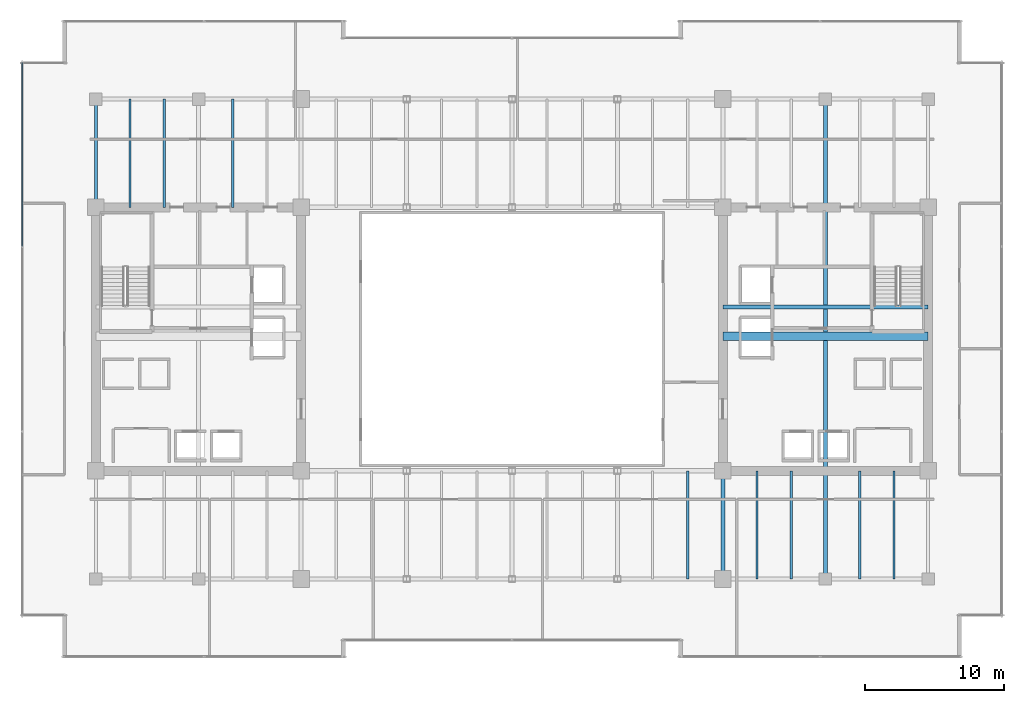
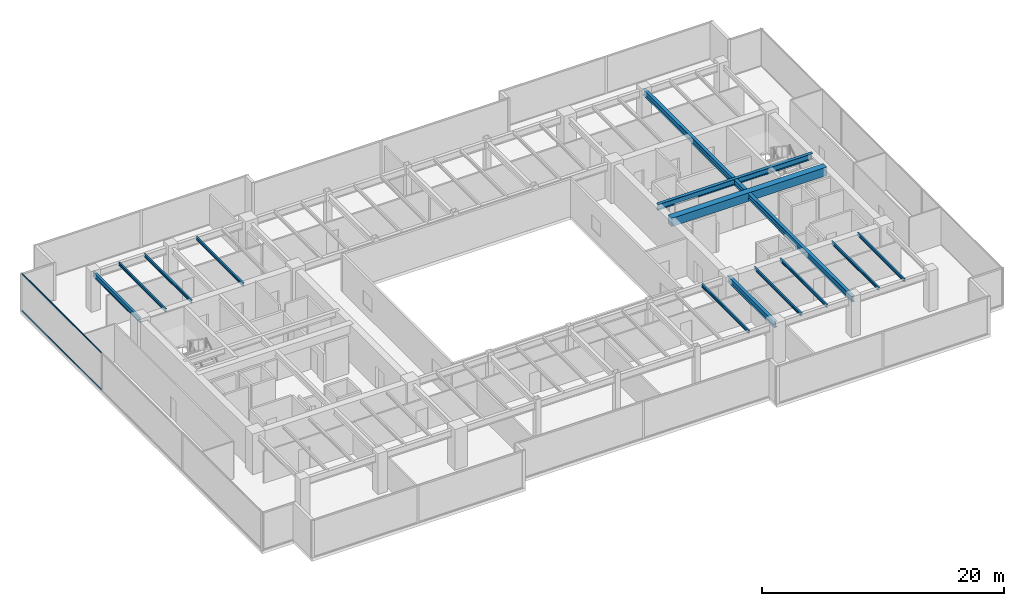
# One storey, part 13 of 30: 13 beams, 2 members, 1 element without a shape of its own.
"""IFC4 building model written with IfcOpenShell, lengths in metres."""

from ifc_helpers import new_model, si_unit, direction, frame, origin, origin_2d, place, context, subcontext, project, spatial, rectangle, hollow_rectangle, i_section, extrude, source, transform, mapped, material, layer, layer_set, material_profile, profile_set, type_object, type_shapes, element, aggregate, save


model = new_model("IFC4")

# Units and contexts
model_context = context("Model", 3, precision=1e-05, world=origin(), true_north=direction((0.0, 1.0)))
body_context = subcontext(model_context, "Body", "Model", "MODEL_VIEW")
ifc_project = project(units=[si_unit("LENGTHUNIT", "METRE"), si_unit("AREAUNIT", "SQUARE_METRE"), si_unit("VOLUMEUNIT", "CUBIC_METRE"), si_unit("PLANEANGLEUNIT", "RADIAN"), si_unit("MASSUNIT", "GRAM", prefix="KILO")], contexts=[model_context])

# Site, building, storey
site_placement = place(None, origin())
site = spatial("IfcSite", under=ifc_project, at=site_placement, CompositionType="ELEMENT")
building_placement = place(site_placement, origin())
building = spatial("IfcBuilding", under=site, at=building_placement, Name="Haelvirn Gate Laboratories", CompositionType="ELEMENT")
storey_placement = place(building_placement, frame((0.0, 0.0, 183.0)))
storey = spatial("IfcBuildingStorey", under=building, at=storey_placement, Name="L44", CompositionType="ELEMENT", Elevation=183.0)

# Beams
ifc_material_1 = material(Name="Steel SM355", Category="steel")
ifc_material_profile_1 = material_profile(ifc_material_1, i_section(OverallWidth=0.300048828125, OverallDepth=0.587890625, WebThickness=0.011962890625, FlangeThickness=0.02001953125, at=origin_2d()), Name="H-588x300x12x20")
ifc_profile_set_1 = profile_set([ifc_material_profile_1], Name="Steel SM355")
beam_type_1 = type_object("IfcBeamType", Name="BM-G-588", PredefinedType="BEAM", material=ifc_profile_set_1)
shared_shape_1 = source(origin(), body_context, "Body", "SweptSolid", [
    extrude(i_section(OverallWidth=0.300048828125, OverallDepth=0.587890625, WebThickness=0.011962890625, FlangeThickness=0.02001953125, at=origin_2d()), origin(), (0.0, 0.0, 1.0), 14.7998046875),
])
beam_1_placement = place(storey_placement, frame((52.60009765625, 26.6201171875, 3.49609375), z_axis=(1.0, 0.0, 0.0), x_axis=(0.0, 1.0, 0.0)))
element("IfcBeam", 1, at=beam_1_placement, inside=storey, type_object=beam_type_1, Name="L44 Stair ST2 Landing Header", PredefinedType="BEAM", context=body_context, shape_type="MappedRepresentation", body=[
    mapped(shared_shape_1, transform((0.0, 0.0, 0.0), scale=1.0)),
])
ifc_material_profile_2 = material_profile(ifc_material_1, i_section(OverallWidth=0.199951171875, OverallDepth=0.5, WebThickness=0.010009765625, FlangeThickness=0.01611328125, at=origin_2d()), Name="H-500x200x10x16")
ifc_profile_set_2 = profile_set([ifc_material_profile_2], Name="Steel SM355")
beam_type_2 = type_object("IfcBeamType", Name="BM-SP-500", PredefinedType="SPANDREL", material=ifc_profile_set_2)
shared_shape_2 = source(origin(), body_context, "Body", "SweptSolid", [
    extrude(i_section(OverallWidth=0.199951171875, OverallDepth=0.5, WebThickness=0.010009765625, FlangeThickness=0.01611328125, at=origin_2d()), origin(), (0.0, 0.0, 1.0), 7.800048828125),
])
type_shapes(beam_type_2, [shared_shape_2])
beam_2_placement = place(storey_placement, frame((7.39990234375, 33.800048828125, 3.5400390625), z_axis=(0.0, 1.0, 0.0), x_axis=(-1.0, 0.0, 0.0)))
element("IfcBeam", 2, at=beam_2_placement, inside=storey, type_object=beam_type_2, Name="L44 Perimeter Spandrel X7.4 (33.8-41.6)", PredefinedType="SPANDREL", context=body_context, shape_type="MappedRepresentation", body=[
    mapped(shared_shape_2, transform((0.0, 0.0, 0.0), scale=1.0)),
])
ifc_material_profile_3 = material_profile(ifc_material_1, i_section(OverallWidth=0.14990234375, OverallDepth=0.300048828125, WebThickness=0.006591796875, FlangeThickness=0.009033203125, at=origin_2d()), Name="H-300x150x6.5x9")
ifc_profile_set_3 = profile_set([ifc_material_profile_3], Name="Steel SM355")
beam_type_3 = type_object("IfcBeamType", Name="BM-J-300", PredefinedType="JOIST", material=ifc_profile_set_3)
shared_shape_3 = source(origin(), body_context, "Body", "SweptSolid", [
    extrude(i_section(OverallWidth=0.14990234375, OverallDepth=0.300048828125, WebThickness=0.006591796875, FlangeThickness=0.009033203125, at=origin_2d()), origin(), (0.0, 0.0, 1.0), 7.800048828125),
])
type_shapes(beam_type_3, [shared_shape_3])
for number, where, z_axis, x_axis, name in (
    (3, (9.8701171875, 33.800048828125, 3.639892578125), (0.0, 1.0, 0.0), (-1.0, 0.0, 0.0), "L44 Composite Lab Joist North X9.87"),
    (4, (12.330078125, 33.800048828125, 3.639892578125), (0.0, 1.0, 0.0), (-1.0, 0.0, 0.0), "L44 Composite Lab Joist North X12.33"),
    (5, (17.27001953125, 33.800048828125, 3.639892578125), (0.0, 1.0, 0.0), (-1.0, 0.0, 0.0), "L44 Composite Lab Joist North X17.27"),
    (6, (50.070068359375, 7.0, 3.639892578125), (0.0, 1.0, 0.0), (-1.0, 0.0, 0.0), "L44 Composite Lab Joist South X50.07"),
    (7, (55.070068359375, 7.0, 3.639892578125), (0.0, 1.0, 0.0), (-1.0, 0.0, 0.0), "L44 Composite Lab Joist South X55.07"),
    (8, (57.530029296875, 7.0, 3.639892578125), (0.0, 1.0, 0.0), (-1.0, 0.0, 0.0), "L44 Composite Lab Joist South X57.53"),
    (9, (62.469970703125, 7.0, 3.639892578125), (0.0, 1.0, 0.0), (-1.0, 0.0, 0.0), "L44 Composite Lab Joist South X62.47"),
    (10, (64.929931640625, 7.0, 3.639892578125), (0.0, 1.0, 0.0), (-1.0, 0.0, 0.0), "L44 Composite Lab Joist South X64.93"),
):
    element("IfcBeam", number, at=place(storey_placement, frame(where, z_axis=z_axis, x_axis=x_axis)), inside=storey, type_object=beam_type_3, Name=name, PredefinedType="JOIST", context=body_context, shape_type="MappedRepresentation", body=[
        mapped(shared_shape_3, transform((0.0, 0.0, 0.0), scale=1.0)),
    ])
shared_shape_4 = source(origin(), body_context, "Body", "SweptSolid", [
    extrude(i_section(OverallWidth=0.300048828125, OverallDepth=0.587890625, WebThickness=0.011962890625, FlangeThickness=0.02001953125, at=origin_2d()), origin(), (0.0, 0.0, 1.0), 34.60009765625),
])
beam_3_placement = place(storey_placement, frame((60.0, 7.0, 3.49609375), z_axis=(0.0, 1.0, 0.0), x_axis=(-1.0, 0.0, 0.0)))
element("IfcBeam", 11, at=beam_3_placement, inside=storey, type_object=beam_type_1, Name="L44 Frame Girder X60.0 (7.0-41.6)", PredefinedType="BEAM", context=body_context, shape_type="MappedRepresentation", body=[
    mapped(shared_shape_4, transform((0.0, 0.0, 0.0), scale=1.0)),
])
shared_shape_5 = source(origin(), body_context, "Body", "SweptSolid", [
    extrude(i_section(OverallWidth=0.300048828125, OverallDepth=0.587890625, WebThickness=0.011962890625, FlangeThickness=0.02001953125, at=origin_2d()), origin(), (0.0, 0.0, 1.0), 7.800048828125),
])
type_shapes(beam_type_1, [shared_shape_1, shared_shape_4, shared_shape_5])
beam_4_placement = place(storey_placement, frame((52.60009765625, 7.0, 3.49609375), z_axis=(0.0, 1.0, 0.0), x_axis=(-1.0, 0.0, 0.0)))
element("IfcBeam", 12, at=beam_4_placement, inside=storey, type_object=beam_type_1, Name="L44 Frame Girder X52.6 (7.0-14.8)", PredefinedType="BEAM", context=body_context, shape_type="MappedRepresentation", body=[
    mapped(shared_shape_5, transform((0.0, 0.0, 0.0), scale=1.0)),
])
ifc_material_2 = material(Name="Concrete C50/60", Category="concrete")
ifc_material_profile_4 = material_profile(ifc_material_2, rectangle(XDim=0.60009765625, YDim=0.85009765625, at=origin_2d()), Name="RCB-600x850")
ifc_profile_set_4 = profile_set([ifc_material_profile_4], Name="Concrete C50/60")
beam_type_4 = type_object("IfcBeamType", Name="BM-RCB-850", PredefinedType="LINTEL", material=ifc_profile_set_4)
shared_shape_6 = source(origin(), body_context, "Body", "SweptSolid", [
    extrude(rectangle(XDim=0.60009765625, YDim=0.85009765625, at=origin_2d()), origin(), (0.0, 0.0, 1.0), 14.7998046875),
])
type_shapes(beam_type_4, [shared_shape_6])
beam_5_placement = place(storey_placement, frame((52.60009765625, 24.5, 3.364990234375), z_axis=(1.0, 0.0, 0.0), x_axis=(0.0, 1.0, 0.0)))
element("IfcBeam", 13, at=beam_5_placement, inside=storey, type_object=beam_type_4, Name="L44 East Core Coupling Beam", PredefinedType="LINTEL", context=body_context, shape_type="MappedRepresentation", body=[
    mapped(shared_shape_6, transform((0.0, 0.0, 0.0), scale=1.0)),
])

# Curtain wall, members
ifc_material_3 = material(Name="Anodised bronze unitised aluminium & triple low-E glass", Category="aluminium")
ifc_layer = layer(ifc_material_3, 0.179931640625, Name="CW-SYS-3")
ifc_layer_set = layer_set([ifc_layer], Name="Anodised bronze unitised aluminium & triple low-E glass")
curtain_wall_type = type_object("IfcCurtainWallType", Name="CW-SYS-3", PredefinedType="NOTDEFINED", material=ifc_layer_set)
curtain_wall_placement = place(storey_placement, origin())
curtain_wall = element("IfcCurtainWall", 14, at=curtain_wall_placement, inside=storey, type_object=curtain_wall_type, Name="L44 Unitised Curtain Wall CW-L44-P0-E17", PredefinedType="NOTDEFINED")
ifc_material_4 = material(Name="Extruded aluminium 6063-T6 (anodised bronze)", Category="aluminium")
ifc_material_profile_5 = material_profile(ifc_material_4, hollow_rectangle(XDim=0.06494140625, YDim=0.139892578125, WallThickness=0.00390625, at=origin_2d()), Name="CWT-140x65x4")
ifc_profile_set_5 = profile_set([ifc_material_profile_5], Name="Extruded aluminium 6063-T6 (anodised bronze)")
member_type = type_object("IfcMemberType", Name="CWT-T140", PredefinedType="USERDEFINED", material=ifc_profile_set_5)
shared_shape_7 = source(origin(), body_context, "Body", "SweptSolid", [
    extrude(hollow_rectangle(XDim=0.06494140625, YDim=0.139892578125, WallThickness=0.00390625, at=origin_2d()), origin(), (0.0, 0.0, 1.0), 13.220947265625),
])
type_shapes(member_type, [shared_shape_7])
member_1_placement = place(storey_placement, frame((2.10009765625, 44.22509765625, 0.032470703125), z_axis=(0.0, -1.0, 0.0), x_axis=(1.0, 0.0, 0.0)))
member_1 = element("IfcMember", 15, at=member_1_placement, type_object=member_type, Name="CW3 transom 1.1", ObjectType="TRANSOM", PredefinedType="USERDEFINED", context=body_context, shape_type="MappedRepresentation", body=[
    mapped(shared_shape_7, transform((0.0, 0.0, 0.0), scale=1.0)),
])
member_2_placement = place(storey_placement, frame((2.10009765625, 44.22509765625, 3.757568359375), z_axis=(0.0, -1.0, 0.0), x_axis=(1.0, 0.0, 0.0)))
member_2 = element("IfcMember", 16, at=member_2_placement, type_object=member_type, Name="CW3 transom 1.2", ObjectType="TRANSOM", PredefinedType="USERDEFINED", context=body_context, shape_type="MappedRepresentation", body=[
    mapped(shared_shape_7, transform((0.0, 0.0, 0.0), scale=1.0)),
])
aggregate(curtain_wall, [member_1, member_2])

save(model, "model.ifc")
